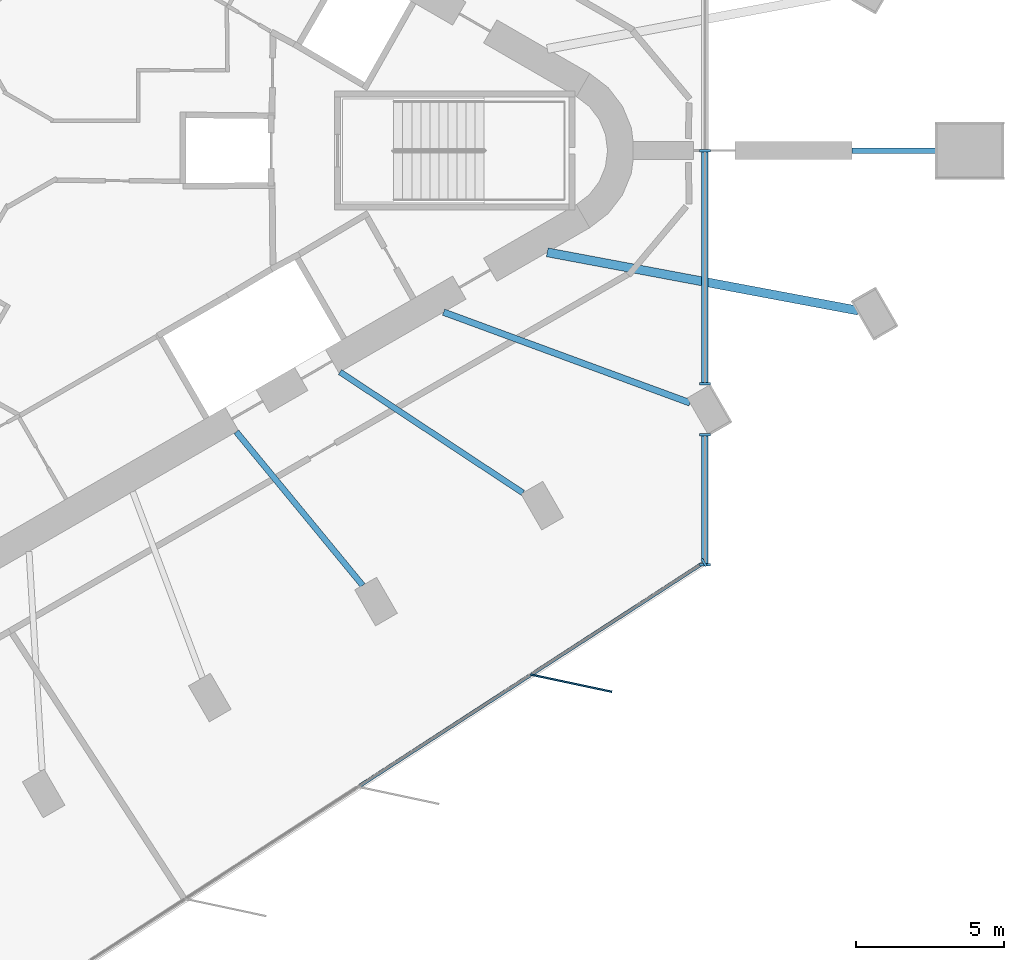
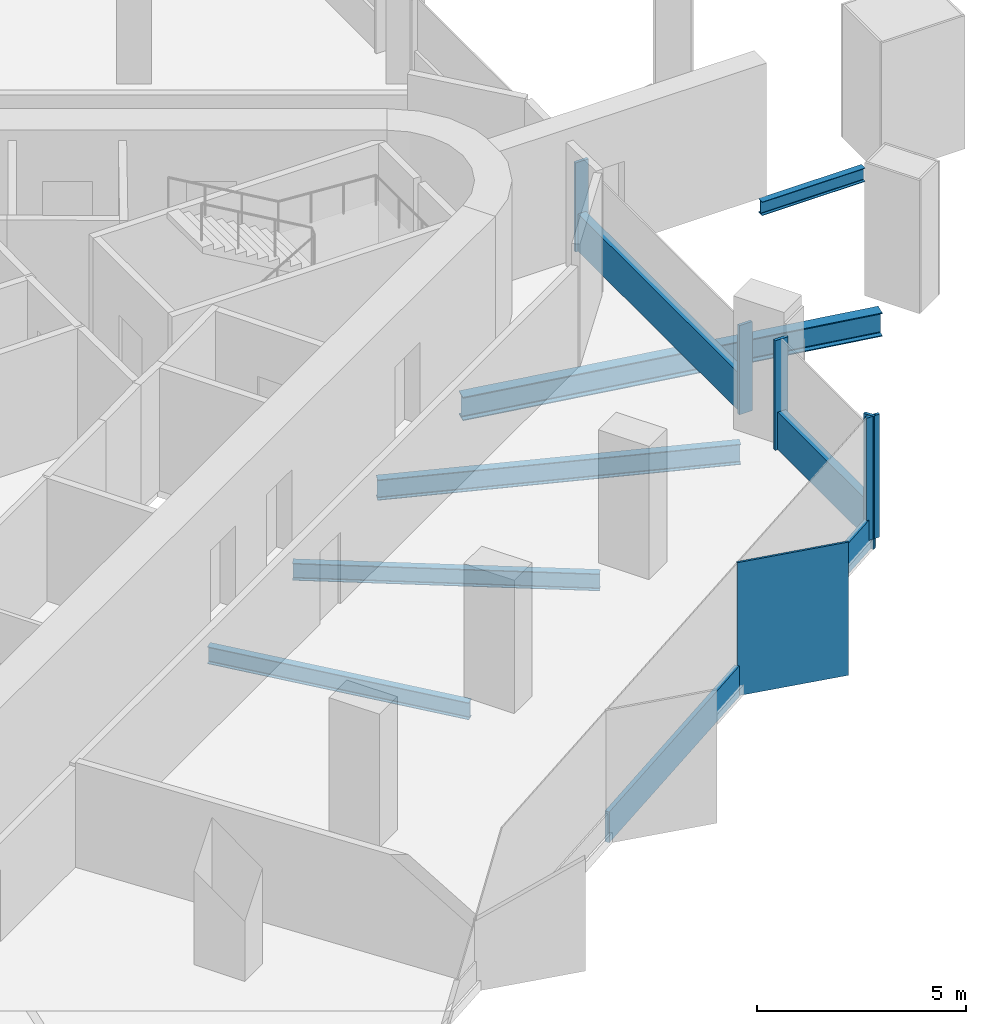
# One storey, part 3 of 12: 10 members, 5 beams, 3 elements without a shape of their own.
"""IFC4 building model written with IfcOpenShell, lengths in metres."""

import ifcopenshell
import ifcopenshell.guid

model = None  # the IFC model being written
_history = None  # IfcOwnerHistory: only IFC2X3 demands one
_inside = {}  # id of a spatial element -> (the spatial element, [elements in it])
_under = {}  # id of a project, library or spatial element -> (it, [spatial elements below it])
_declared = {}  # id of a project -> (the project, [libraries it declares])
_typed = {}  # id of a type object -> (the type object, [elements of that type])
_made_of = {}  # id of a material, layer set ... -> (it, [elements and type objects made of it])


def new_model(schema):
    """Start an empty IFC model of exactly this schema.

    Asked for "IFC4X3", IfcOpenShell would pick the latest addendum, in which some entities
    have other attributes; the version numbers below select the first issue.
    IFC2X3 requires an IfcOwnerHistory on every rooted entity: one is made here for all.
    """
    global model, _history
    if schema == "IFC4X3":
        model = ifcopenshell.file(schema_version=(4, 3, 0, 0))
    else:
        model = ifcopenshell.file(schema=schema)
    _inside.clear()
    _under.clear()
    _declared.clear()
    _typed.clear()
    _made_of.clear()
    _history = None
    if model.schema == "IFC2X3":
        org = make("IfcOrganization", Name="unknown")
        user = make(
            "IfcPersonAndOrganization",
            ThePerson=make("IfcPerson", FamilyName="unknown"),
            TheOrganization=org,
        )
        app = make(
            "IfcApplication",
            ApplicationDeveloper=org,
            Version="unknown",
            ApplicationFullName="unknown",
            ApplicationIdentifier="unknown",
        )
        _history = make(
            "IfcOwnerHistory",
            OwningUser=user,
            OwningApplication=app,
            ChangeAction="ADDED",
            CreationDate=0,
        )
    return model


def make(cls, **values):
    """One entity of the class cls with the attributes given. An attribute that is None is left unset."""
    return model.create_entity(
        cls, **{name: value for name, value in values.items() if value is not None}
    )


def rooted(cls, **values):
    """An entity with a GlobalId (a new one), such as an element, a storey or a relation."""
    return make(cls, GlobalId=ifcopenshell.guid.new(), OwnerHistory=_history, **values)


def si_unit(unit_type, name, prefix=None):
    """IfcSIUnit, for example si_unit("LENGTHUNIT", "METRE", prefix="MILLI")."""
    return make("IfcSIUnit", UnitType=unit_type, Prefix=prefix, Name=name)


def assignment(units):
    """IfcUnitAssignment: the units of a project."""
    return None if units is None else make("IfcUnitAssignment", Units=units)


def point(xyz):
    """IfcCartesianPoint."""
    return None if xyz is None else make("IfcCartesianPoint", Coordinates=xyz)


def direction(xyz):
    """IfcDirection."""
    return None if xyz is None else make("IfcDirection", DirectionRatios=xyz)


def frame(location, z_axis=None, x_axis=None):
    """IfcAxis2Placement3D, a coordinate frame: its origin and axes. An axis left out is left unset."""
    return make(
        "IfcAxis2Placement3D",
        Location=point(location),
        Axis=direction(z_axis),
        RefDirection=direction(x_axis),
    )


def frame_2d(location, x_axis=None):
    """IfcAxis2Placement2D, a coordinate frame in the plane: its origin and x axis."""
    return make(
        "IfcAxis2Placement2D", Location=point(location), RefDirection=direction(x_axis)
    )


def origin():
    """The frame at (0, 0, 0) with its axes left unset."""
    return frame((0.0, 0.0, 0.0))


def origin_2d():
    """The frame at (0, 0) in the plane with its x axis left unset."""
    return frame_2d((0.0, 0.0))


def place(relative_to, where):
    """IfcLocalPlacement: puts the frame where relative to a parent placement (None: the world)."""
    return make(
        "IfcLocalPlacement", PlacementRelTo=relative_to, RelativePlacement=where
    )


def context(
    kind, dimensions, precision=None, world=None, true_north=None, identifier=None
):
    """IfcGeometricRepresentationContext, for example the 3D "Model" context."""
    return make(
        "IfcGeometricRepresentationContext",
        ContextIdentifier=identifier,
        ContextType=kind,
        CoordinateSpaceDimension=dimensions,
        Precision=precision,
        WorldCoordinateSystem=world,
        TrueNorth=true_north,
    )


def subcontext(parent, identifier, kind, view, scale=None):
    """IfcGeometricRepresentationSubContext, for example "Body" below "Model"."""
    return make(
        "IfcGeometricRepresentationSubContext",
        ContextIdentifier=identifier,
        ContextType=kind,
        ParentContext=parent,
        TargetScale=scale,
        TargetView=view,
    )


def project(units=None, contexts=None):
    """IfcProject with its units and contexts."""
    return rooted(
        "IfcProject",
        Name="project",
        RepresentationContexts=contexts,
        UnitsInContext=assignment(units),
    )


def spatial(cls, under=None, at=None, **own):
    """A site, building, storey or space (cls), placed at a placement, below another one or the project."""
    s = rooted(cls, ObjectPlacement=at, **own)
    if under is not None:
        _under.setdefault(under.id(), (under, []))[1].append(s)
    return s


def profile(cls, at=None, kind="AREA", **sizes):
    """A parametric profile (cls). Its sizes go by their IFC names, for example OverallWidth=200.0."""
    return make(cls, ProfileType=kind, Position=at, **sizes)


def rectangle(**sizes):
    """IfcRectangleProfileDef."""
    return profile("IfcRectangleProfileDef", **sizes)


def i_section(**sizes):
    """IfcIShapeProfileDef."""
    return profile("IfcIShapeProfileDef", **sizes)


def extrude(swept, where, along, depth):
    """IfcExtrudedAreaSolid: the profile swept, set in the frame where, extruded along a direction by depth."""
    return make(
        "IfcExtrudedAreaSolid",
        SweptArea=swept,
        Position=where,
        ExtrudedDirection=direction(along),
        Depth=depth,
    )


def shape(context_of_items, identifier, shape_type, items):
    """IfcShapeRepresentation: the items that make up one representation, for example the "Body"."""
    return make(
        "IfcShapeRepresentation",
        ContextOfItems=context_of_items,
        RepresentationIdentifier=identifier,
        RepresentationType=shape_type,
        Items=items,
    )


def material(Name=None, Category=None):
    """IfcMaterial."""
    return make("IfcMaterial", Name=Name, Category=Category)


def material_profile(
    of_material, cross_section, Name=None, Category=None, Priority=None
):
    """IfcMaterialProfile: a cross section and its material."""
    return make(
        "IfcMaterialProfile",
        Name=Name,
        Material=of_material,
        Profile=cross_section,
        Priority=Priority,
        Category=Category,
    )


def profile_set(profiles, Name=None, composite=None):
    """IfcMaterialProfileSet."""
    return make(
        "IfcMaterialProfileSet",
        Name=Name,
        MaterialProfiles=profiles,
        CompositeProfile=composite,
    )


def made_of(thing, what):
    """Note that an element or type object is made of a material, layer set ...; save() writes the relation."""
    if what is not None:
        _made_of.setdefault(what.id(), (what, []))[1].append(thing)
    return thing


def type_object(cls, material=None, **own):
    """A type object (cls), such as IfcWallType, which elements share."""
    return made_of(rooted(cls, **own), material)


def element(
    cls,
    number,
    at=None,
    inside=None,
    cuts=None,
    type_object=None,
    material=None,
    context=None,
    identifier="Body",
    shape_type=None,
    held_by="IfcProductDefinitionShape",
    body=None,
    shapes=None,
    **own,
):
    """One element of the class cls, such as IfcWall. Its Tag is "e" and its number.

    at: its placement. inside: the storey or other place that contains it. cuts: it is an
    opening in that element (IfcRelVoidsElement). A single representation is given by context,
    identifier, shape_type and body (its items); several are given by shapes. held_by: the class
    of the entity that holds the representations. save() writes the other relations.
    """
    e = rooted(cls, Tag="e%d" % number, ObjectPlacement=at, **own)
    if body is not None:
        shapes = [shape(context, identifier, shape_type, body)]
    if shapes is not None:
        e.Representation = make(held_by, Representations=shapes)
    if inside is not None:
        _inside.setdefault(inside.id(), (inside, []))[1].append(e)
    if cuts is not None:
        rooted(
            "IfcRelVoidsElement", RelatingBuildingElement=cuts, RelatedOpeningElement=e
        )
    if type_object is not None:
        _typed.setdefault(type_object.id(), (type_object, []))[1].append(e)
    return made_of(e, material)


def aggregate(whole, parts):
    """IfcRelAggregates: a whole, such as a stair, and the parts it consists of."""
    return rooted("IfcRelAggregates", RelatingObject=whole, RelatedObjects=parts)


def save(model, path):
    """Write the relations noted so far, then the file.

    IfcRelAggregates (storeys below a building ...), IfcRelContainedInSpatialStructure (elements
    in a storey), IfcRelDefinesByType, IfcRelAssociatesMaterial and IfcRelDeclares: one each for
    every whole, place, type object, material and project.
    """
    for whole, parts in _under.values():
        aggregate(whole, parts)
    for where, things in _inside.values():
        rooted(
            "IfcRelContainedInSpatialStructure",
            RelatedElements=things,
            RelatingStructure=where,
        )
    for kind, things in _typed.values():
        rooted("IfcRelDefinesByType", RelatedObjects=things, RelatingType=kind)
    for what, things in _made_of.values():
        rooted("IfcRelAssociatesMaterial", RelatedObjects=things, RelatingMaterial=what)
    for by, libraries in _declared.values():
        rooted("IfcRelDeclares", RelatingContext=by, RelatedDefinitions=libraries)
    model.write(path)


model = new_model("IFC4")

# Units and contexts
model_context = context("Model", 3, precision=1e-05, world=origin(), true_north=direction((0.0, 1.0)))
body_context = subcontext(model_context, "Body", "Model", "MODEL_VIEW")
ifc_project = project(units=[si_unit("LENGTHUNIT", "METRE"), si_unit("AREAUNIT", "SQUARE_METRE"), si_unit("VOLUMEUNIT", "CUBIC_METRE"), si_unit("PLANEANGLEUNIT", "RADIAN"), si_unit("MASSUNIT", "GRAM", prefix="KILO")], contexts=[model_context])

# Site, building, storey
site_placement = place(None, origin())
site = spatial("IfcSite", under=ifc_project, at=site_placement, CompositionType="ELEMENT")
building_placement = place(site_placement, origin())
building = spatial("IfcBuilding", under=site, at=building_placement, Name="Tanit Gate Tower", CompositionType="ELEMENT")
storey_placement = place(building_placement, frame((0.0, 0.0, 365.0)))
storey = spatial("IfcBuildingStorey", under=building, at=storey_placement, Name="L83", CompositionType="ELEMENT", Elevation=365.0)

# Curtain wall, members
ifc_material_1 = material(Name="Aluminium bronze anodised and glass", Category="aluminium")
curtain_wall_type_1 = type_object("IfcCurtainWallType", Name="Curtain wall typical high", PredefinedType="NOTDEFINED", material=ifc_material_1)
curtain_wall_1_placement = place(storey_placement, origin())
curtain_wall_1 = element("IfcCurtainWall", 1, at=curtain_wall_1_placement, inside=storey, type_object=curtain_wall_type_1, Name="Curtain wall L83 SE2c", PredefinedType="NOTDEFINED")
ifc_material_2 = material(Name="Aluminium bronze anodised", Category="aluminium")
ifc_material_profile_1 = material_profile(ifc_material_2, rectangle(XDim=2.800048828125, YDim=0.055908203125, at=origin_2d()), Name="56x2800 bronze fin mullion")
ifc_profile_set_1 = profile_set([ifc_material_profile_1], Name="Aluminium bronze anodised")
member_type_1 = type_object("IfcMemberType", Name="FIN MULLION 56x2800 bronze", PredefinedType="MULLION", material=ifc_profile_set_1)
member_1_placement = place(storey_placement, frame((19.074951171875, -17.936279296875, -0.300048828125), z_axis=(0.0, 0.0, 1.0), x_axis=(-0.978049407445, 0.208373118697, 0.0)))
member_1 = element("IfcMember", 2, at=member_1_placement, type_object=member_type_1, Name="Fin mullion L83 SE2c.4", PredefinedType="MULLION", context=body_context, shape_type="SweptSolid", body=[
    extrude(rectangle(XDim=2.800048828125, YDim=0.055908203125, at=origin_2d()), origin(), (0.0, 0.0, 1.0), 3.900146484375),
])
ifc_material_3 = material(Name="Aluminium bronze anodised", Category="aluminium")
ifc_material_profile_2 = material_profile(ifc_material_3, rectangle(XDim=0.280029296875, YDim=0.080078125, at=origin_2d()), Name="80x280 bronze mullion")
ifc_profile_set_2 = profile_set([ifc_material_profile_2], Name="Aluminium bronze anodised")
member_type_2 = type_object("IfcMemberType", Name="Mullion 80x280 typical high", PredefinedType="MULLION", material=ifc_profile_set_2)
member_2_placement = place(storey_placement, frame((23.546875, -13.871826171875, -0.300048828125), z_axis=(0.0, 0.0, 1.0), x_axis=(-0.544243323092, 0.838927413588, 0.0)))
member_2 = element("IfcMember", 3, at=member_2_placement, type_object=member_type_2, Name="Mullion L83 SE2c.5", PredefinedType="MULLION", context=body_context, shape_type="SweptSolid", body=[
    extrude(rectangle(XDim=0.280029296875, YDim=0.080078125, at=origin_2d()), origin(), (0.0, 0.0, 1.0), 3.900146484375),
])

ifc_material_4 = material(Name="Aluminium bronze anodised and glass", Category="aluminium")
curtain_wall_type_2 = type_object("IfcCurtainWallType", Name="Curtain wall portal glazing", PredefinedType="NOTDEFINED", material=ifc_material_4)
curtain_wall_2_placement = place(storey_placement, origin())
curtain_wall_2 = element("IfcCurtainWall", 4, at=curtain_wall_2_placement, inside=storey, type_object=curtain_wall_type_2, Name="Curtain wall L83 NOTCH2", PredefinedType="NOTDEFINED")
ifc_material_5 = material(Name="Aluminium bronze anodised", Category="aluminium")
ifc_material_profile_3 = material_profile(ifc_material_5, rectangle(XDim=0.360107421875, YDim=0.080078125, at=origin_2d()), Name="80x360 bronze mullion")
ifc_profile_set_3 = profile_set([ifc_material_profile_3], Name="Aluminium bronze anodised")
member_type_3 = type_object("IfcMemberType", Name="Mullion 80x360 portal glazing", PredefinedType="MULLION", material=ifc_profile_set_3)
member_3_placement = place(storey_placement, frame((23.580078125, 0.0, 0.0), z_axis=(0.0, 0.0, 1.0), x_axis=(1.0, 0.0, 0.0)))
member_3 = element("IfcMember", 5, at=member_3_placement, type_object=member_type_3, Name="Mullion L83 NOTCH2.2", PredefinedType="MULLION", context=body_context, shape_type="SweptSolid", body=[
    extrude(rectangle(XDim=0.360107421875, YDim=0.080078125, at=origin_2d()), origin(), (0.0, 0.0, 1.0), 2.610107421875),
])
member_4_placement = place(storey_placement, frame((23.580078125, -7.853271484375, 0.0), z_axis=(0.0, 0.0, 1.0), x_axis=(1.0, 0.0, 0.0)))
member_4 = element("IfcMember", 6, at=member_4_placement, type_object=member_type_3, Name="Mullion L83 NOTCH2.3", PredefinedType="MULLION", context=body_context, shape_type="SweptSolid", body=[
    extrude(rectangle(XDim=0.360107421875, YDim=0.080078125, at=origin_2d()), origin(), (0.0, 0.0, 1.0), 2.610107421875),
])

curtain_wall_3_placement = place(storey_placement, origin())
curtain_wall_3 = element("IfcCurtainWall", 7, at=curtain_wall_3_placement, inside=storey, type_object=curtain_wall_type_2, Name="Curtain wall L83 NOTCH3", PredefinedType="NOTDEFINED")
member_5_placement = place(storey_placement, frame((23.580078125, -9.572265625, 0.0), z_axis=(0.0, 0.0, 1.0), x_axis=(1.0, 0.0, 0.0)))
member_5 = element("IfcMember", 8, at=member_5_placement, type_object=member_type_3, Name="Mullion L83 NOTCH3.1", PredefinedType="MULLION", context=body_context, shape_type="SweptSolid", body=[
    extrude(rectangle(XDim=0.360107421875, YDim=0.080078125, at=origin_2d()), origin(), (0.0, 0.0, 1.0), 3.2099609375),
])
member_6_placement = place(storey_placement, frame((23.580078125, -13.952880859375, 0.0), z_axis=(0.0, 0.0, 1.0), x_axis=(1.0, 0.0, 0.0)))
member_6 = element("IfcMember", 9, at=member_6_placement, type_object=member_type_3, Name="Mullion L83 NOTCH3.2", PredefinedType="MULLION", context=body_context, shape_type="SweptSolid", body=[
    extrude(rectangle(XDim=0.360107421875, YDim=0.080078125, at=origin_2d()), origin(), (0.0, 0.0, 1.0), 3.60009765625),
])

# Beams
ifc_material_6 = material(Name="Steel S355", Category="steel")
ifc_material_profile_4 = material_profile(ifc_material_6, i_section(OverallWidth=0.300048828125, OverallDepth=0.68994140625, WebThickness=0.014404296875, FlangeThickness=0.027099609375, FilletRadius=0.027099609375, at=origin_2d()), Name="HEA 700")
ifc_profile_set_4 = profile_set([ifc_material_profile_4], Name="Steel S355")
beam_type_1 = type_object("IfcBeamType", Name="RADIAL GIRDER HEA 700 S355", PredefinedType="BEAM", material=ifc_profile_set_4)
beam_1_placement = place(storey_placement, frame((28.745361328125, -5.390869140625, -0.64501953125), z_axis=(-0.982865703548, 0.184323109754, 0.0), x_axis=(-0.184323109754, -0.982865703548, 0.0)))
element("IfcBeam", 10, at=beam_1_placement, inside=storey, type_object=beam_type_1, Name="RADIAL GIRDER", PredefinedType="BEAM", context=body_context, shape_type="SweptSolid", body=[
    extrude(i_section(OverallWidth=0.300048828125, OverallDepth=0.68994140625, WebThickness=0.014404296875, FlangeThickness=0.027099609375, FilletRadius=0.027099609375, at=origin_2d()), origin(), (0.0, 0.0, 1.0), 10.658447265625),
])
ifc_material_7 = material(Name="Steel S355", Category="steel")
ifc_material_profile_5 = material_profile(ifc_material_7, i_section(OverallWidth=0.179931640625, OverallDepth=0.39990234375, WebThickness=0.008544921875, FlangeThickness=0.013427734375, FilletRadius=0.02099609375, at=origin_2d()), Name="IPE 400")
ifc_profile_set_5 = profile_set([ifc_material_profile_5], Name="Steel S355")
beam_type_2 = type_object("IfcBeamType", Name="RADIAL GIRDER IPE 400 S355", PredefinedType="BEAM", material=ifc_profile_set_5)
beam_2_placement = place(storey_placement, frame((31.3916015625, 0.0, -0.5), z_axis=(-1.0, 0.0, 0.0), x_axis=(0.0, -1.0, 0.0)))
element("IfcBeam", 11, at=beam_2_placement, inside=storey, type_object=beam_type_2, Name="RADIAL GIRDER", PredefinedType="BEAM", context=body_context, shape_type="SweptSolid", body=[
    extrude(i_section(OverallWidth=0.179931640625, OverallDepth=0.39990234375, WebThickness=0.008544921875, FlangeThickness=0.013427734375, FilletRadius=0.02099609375, at=origin_2d()), origin(), (0.0, 0.0, 1.0), 2.853759765625),
])
ifc_material_8 = material(Name="Steel S355", Category="steel")
ifc_material_profile_6 = material_profile(ifc_material_8, i_section(OverallWidth=0.199951171875, OverallDepth=0.5, WebThickness=0.01025390625, FlangeThickness=0.01611328125, FilletRadius=0.02099609375, at=origin_2d()), Name="IPE 500")
ifc_profile_set_6 = profile_set([ifc_material_profile_6], Name="Steel S355")
beam_type_3 = type_object("IfcBeamType", Name="RADIAL GIRDER IPE 500 S355", PredefinedType="BEAM", material=ifc_profile_set_6)
beam_3_placement = place(storey_placement, frame((12.05078125, -14.64208984375, -0.550048828125), z_axis=(-0.63547714301, 0.772119680303, 0.0), x_axis=(-0.772119680303, -0.63547714301, 0.0)))
element("IfcBeam", 12, at=beam_3_placement, inside=storey, type_object=beam_type_3, Name="RADIAL GIRDER", PredefinedType="BEAM", context=body_context, shape_type="SweptSolid", body=[
    extrude(i_section(OverallWidth=0.199951171875, OverallDepth=0.5, WebThickness=0.01025390625, FlangeThickness=0.01611328125, FilletRadius=0.02099609375, at=origin_2d()), origin(), (0.0, 0.0, 1.0), 6.69482421875),
])
beam_4_placement = place(storey_placement, frame((17.447021484375, -11.526611328125, -0.550048828125), z_axis=(-0.834352975329, 0.551230543929, 0.0), x_axis=(-0.551230543929, -0.834352975329, 0.0)))
element("IfcBeam", 13, at=beam_4_placement, inside=storey, type_object=beam_type_3, Name="RADIAL GIRDER", PredefinedType="BEAM", context=body_context, shape_type="SweptSolid", body=[
    extrude(i_section(OverallWidth=0.199951171875, OverallDepth=0.5, WebThickness=0.01025390625, FlangeThickness=0.01611328125, FilletRadius=0.02099609375, at=origin_2d()), origin(), (0.0, 0.0, 1.0), 7.38232421875),
])
ifc_material_9 = material(Name="Steel S355", Category="steel")
ifc_material_profile_7 = material_profile(ifc_material_9, i_section(OverallWidth=0.219970703125, OverallDepth=0.60009765625, WebThickness=0.011962890625, FlangeThickness=0.01904296875, FilletRadius=0.02392578125, at=origin_2d()), Name="IPE 600")
ifc_profile_set_7 = profile_set([ifc_material_profile_7], Name="Steel S355")
beam_type_4 = type_object("IfcBeamType", Name="RADIAL GIRDER IPE 600 S355", PredefinedType="BEAM", material=ifc_profile_set_7)
beam_5_placement = place(storey_placement, frame((23.074462890625, -8.49658203125, -0.60009765625), z_axis=(-0.938405339551, 0.345536421673, 0.0), x_axis=(-0.345536421673, -0.938405339551, 0.0)))
element("IfcBeam", 14, at=beam_5_placement, inside=storey, type_object=beam_type_4, Name="RADIAL GIRDER", PredefinedType="BEAM", context=body_context, shape_type="SweptSolid", body=[
    extrude(i_section(OverallWidth=0.219970703125, OverallDepth=0.60009765625, WebThickness=0.011962890625, FlangeThickness=0.01904296875, FilletRadius=0.02392578125, at=origin_2d()), origin(), (0.0, 0.0, 1.0), 8.84033203125),
])

# Member
ifc_material_10 = material(Name="Aluminium bronze anodised", Category="aluminium")
ifc_material_profile_8 = material_profile(ifc_material_10, rectangle(XDim=0.1201171875, YDim=0.89990234375, at=origin_2d()), Name="120x900 bronze transom")
ifc_profile_set_8 = profile_set([ifc_material_profile_8], Name="Aluminium bronze anodised")
member_type_4 = type_object("IfcMemberType", Name="Transom 120x900 typical high", PredefinedType="USERDEFINED", material=ifc_profile_set_8)
member_7_placement = place(storey_placement, frame((11.936767578125, -21.40380859375, 0.14990234375), z_axis=(0.838917367281, 0.544258808725, 0.0), x_axis=(-0.544258808725, 0.838917367281, 0.0)))
member_7 = element("IfcMember", 15, at=member_7_placement, type_object=member_type_4, Name="Transom L83 SE2c.3", ObjectType="TRANSOM", PredefinedType="USERDEFINED", context=body_context, shape_type="SweptSolid", body=[
    extrude(rectangle(XDim=0.1201171875, YDim=0.89990234375, at=origin_2d()), origin(), (0.0, 0.0, 1.0), 6.859619140625),
])

member_8_placement = place(storey_placement, frame((17.758544921875, -17.626953125, 0.14990234375), z_axis=(0.838927909515, 0.544242558642, 0.0), x_axis=(-0.544242558642, 0.838927909515, 0.0)))
member_8 = element("IfcMember", 16, at=member_8_placement, type_object=member_type_4, Name="Transom L83 SE2c.4", ObjectType="TRANSOM", PredefinedType="USERDEFINED", context=body_context, shape_type="SweptSolid", body=[
    extrude(rectangle(XDim=0.1201171875, YDim=0.89990234375, at=origin_2d()), origin(), (0.0, 0.0, 1.0), 6.85986328125),
])

aggregate(curtain_wall_1, [member_1, member_2, member_7, member_8])

ifc_material_11 = material(Name="Aluminium bronze anodised", Category="aluminium")
ifc_material_profile_9 = material_profile(ifc_material_11, rectangle(XDim=0.219970703125, YDim=1.10009765625, at=origin_2d()), Name="220x1100 bronze transom")
ifc_profile_set_9 = profile_set([ifc_material_profile_9], Name="Aluminium bronze anodised")
member_type_5 = type_object("IfcMemberType", Name="Transom 220x1100 portal glazing", PredefinedType="USERDEFINED", material=ifc_profile_set_9)
member_9_placement = place(storey_placement, frame((23.580078125, -0.0400390625, 0.550048828125), z_axis=(0.0, -1.0, 0.0), x_axis=(1.0, 0.0, 0.0)))
member_9 = element("IfcMember", 17, at=member_9_placement, type_object=member_type_5, Name="Transom L83 NOTCH2.2", ObjectType="TRANSOM", PredefinedType="USERDEFINED", context=body_context, shape_type="SweptSolid", body=[
    extrude(rectangle(XDim=0.219970703125, YDim=1.10009765625, at=origin_2d()), origin(), (0.0, 0.0, 1.0), 7.7734375),
])

aggregate(curtain_wall_2, [member_3, member_4, member_9])

member_10_placement = place(storey_placement, frame((23.580078125, -9.6123046875, 0.550048828125), z_axis=(0.0, -1.0, 0.0), x_axis=(1.0, 0.0, 0.0)))
member_10 = element("IfcMember", 18, at=member_10_placement, type_object=member_type_5, Name="Transom L83 NOTCH3.1", ObjectType="TRANSOM", PredefinedType="USERDEFINED", context=body_context, shape_type="SweptSolid", body=[
    extrude(rectangle(XDim=0.219970703125, YDim=1.10009765625, at=origin_2d()), origin(), (0.0, 0.0, 1.0), 4.300537109375),
])

aggregate(curtain_wall_3, [member_5, member_6, member_10])

save(model, "model.ifc")
